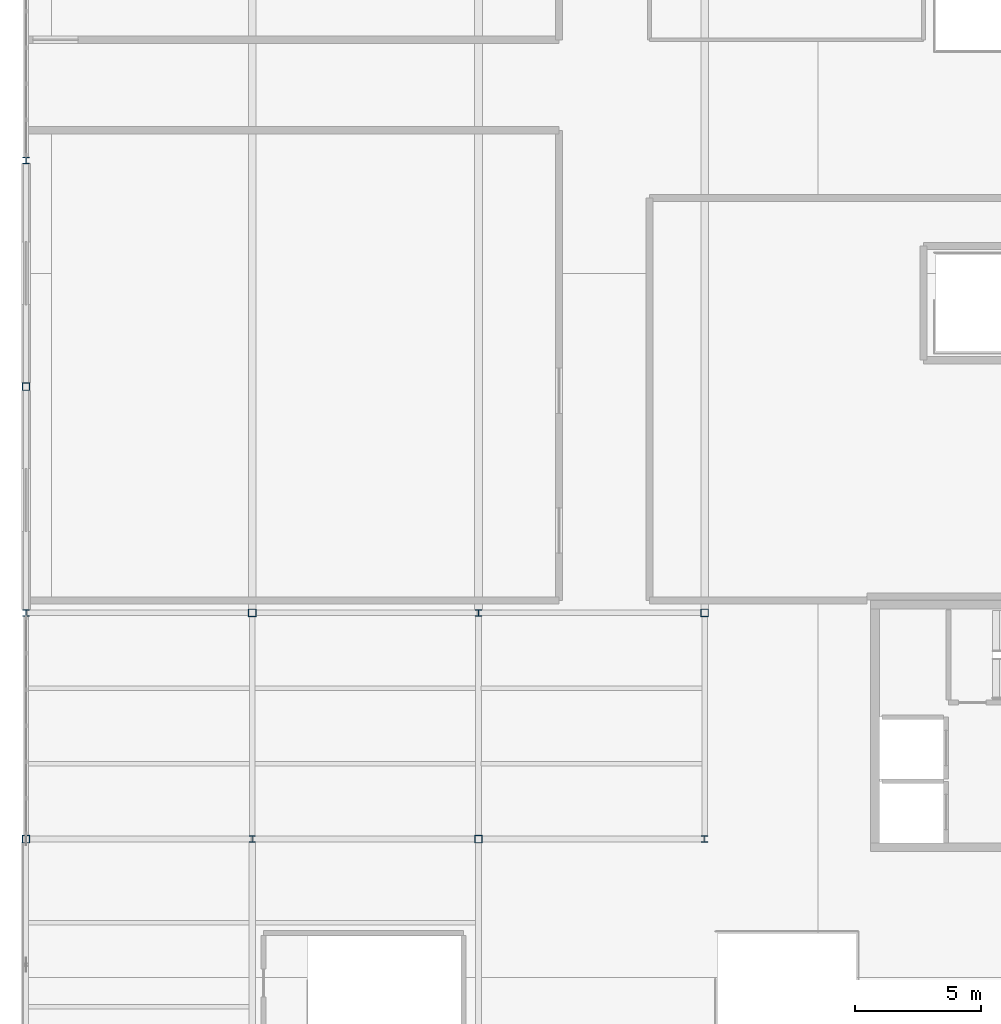
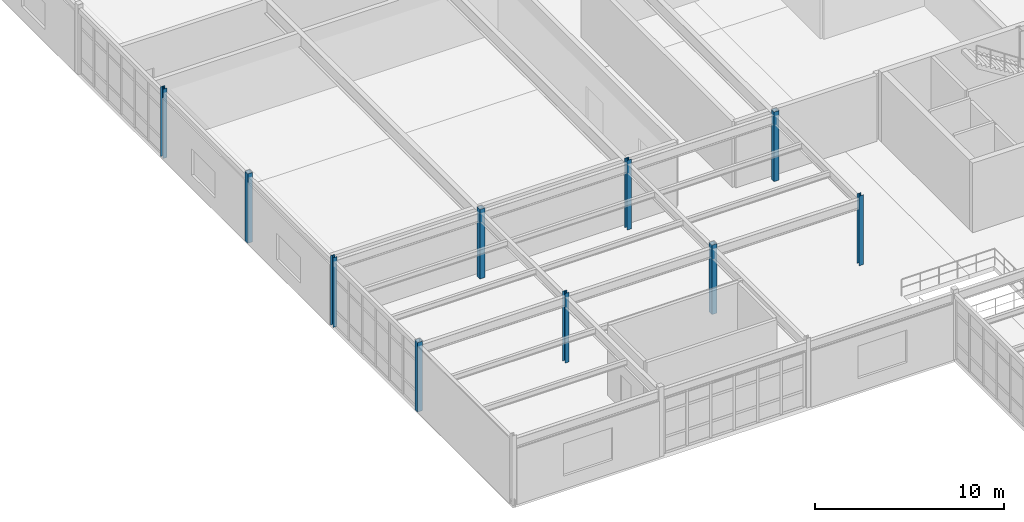
# One storey, part 8 of 81: 10 columns.
"""IFC4 building model written with IfcOpenShell, lengths in metres."""

from ifc_helpers import new_model, si_unit, direction, frame, origin, origin_2d, place, context, subcontext, project, spatial, hollow_rectangle, i_section, extrude, material, material_profile, profile_set, type_object, element, save


model = new_model("IFC4")

# Units and contexts
model_context = context("Model", 3, precision=1e-05, world=origin(), true_north=direction((0.0, 1.0)))
body_context = subcontext(model_context, "Body", "Model", "MODEL_VIEW")
ifc_project = project(units=[si_unit("LENGTHUNIT", "METRE"), si_unit("AREAUNIT", "SQUARE_METRE"), si_unit("VOLUMEUNIT", "CUBIC_METRE"), si_unit("PLANEANGLEUNIT", "RADIAN"), si_unit("MASSUNIT", "GRAM", prefix="KILO")], contexts=[model_context])

# Site, building, storey
site_placement = place(None, origin())
site = spatial("IfcSite", under=ifc_project, at=site_placement, CompositionType="ELEMENT")
building_placement = place(site_placement, origin())
building = spatial("IfcBuilding", under=site, at=building_placement, Name="Glasvene Arena", CompositionType="ELEMENT")
storey_placement = place(building_placement, frame((0.0, 0.0, 15.0)))
storey = spatial("IfcBuildingStorey", under=building, at=storey_placement, Name="L03", CompositionType="ELEMENT", Elevation=15.0)

# Columns
ifc_material = material(Name="Steel S355J2", Category="steel")
ifc_material_profile_1 = material_profile(ifc_material, hollow_rectangle(XDim=0.300048828125, YDim=0.300048828125, WallThickness=0.012451171875, at=origin_2d()), Name="SHS 300x300x12.5")
ifc_profile_set_1 = profile_set([ifc_material_profile_1], Name="Steel S355J2")
column_type_1 = type_object("IfcColumnType", Name="COL-W-SHS300", PredefinedType="COLUMN", material=ifc_profile_set_1)
for number, where, z_axis, x_axis, name in (
    (1, (0.0, 64.0, 0.0), (0.0, 0.0, 1.0), (1.0, 0.0, 0.0), "Grid column 1-8 L03"),
    (2, (0.0, 82.0, 0.0), (0.0, 0.0, 1.0), (1.0, 0.0, 0.0), "Grid column 1-10 L03"),
    (3, (9.0, 73.0, 0.0), (0.0, 0.0, 1.0), (1.0, 0.0, 0.0), "Grid column 2-9 L03"),
    (4, (18.0, 64.0, 0.0), (0.0, 0.0, 1.0), (1.0, 0.0, 0.0), "Grid column 3-8 L03"),
    (5, (27.0, 73.0, 0.0), (0.0, 0.0, 1.0), (1.0, 0.0, 0.0), "Grid column 4-9 L03"),
):
    element("IfcColumn", number, at=place(storey_placement, frame(where, z_axis=z_axis, x_axis=x_axis)), inside=storey, type_object=column_type_1, Name=name, PredefinedType="COLUMN", context=body_context, shape_type="SweptSolid", body=[
        extrude(hollow_rectangle(XDim=0.300048828125, YDim=0.300048828125, WallThickness=0.012451171875, at=origin_2d()), origin(), (0.0, 0.0, 1.0), 4.5),
    ])
ifc_material_profile_2 = material_profile(ifc_material, i_section(OverallWidth=0.25634765625, OverallDepth=0.26025390625, WebThickness=0.01025390625, FlangeThickness=0.017333984375, FilletRadius=0.0126953125, at=origin_2d()), Name="UKC 254x254x89")
ifc_profile_set_2 = profile_set([ifc_material_profile_2], Name="Steel S355J2")
column_type_2 = type_object("IfcColumnType", Name="COL-W-UKC89", PredefinedType="COLUMN", material=ifc_profile_set_2)
for number, where, z_axis, x_axis, name in (
    (6, (0.0, 73.0, 0.0), (0.0, 0.0, 1.0), (1.0, 0.0, 0.0), "Grid column 1-9 L03"),
    (7, (0.0, 91.0, 0.0), (0.0, 0.0, 1.0), (1.0, 0.0, 0.0), "Grid column 1-11 L03"),
    (8, (9.0, 64.0, 0.0), (0.0, 0.0, 1.0), (1.0, 0.0, 0.0), "Grid column 2-8 L03"),
    (9, (18.0, 73.0, 0.0), (0.0, 0.0, 1.0), (1.0, 0.0, 0.0), "Grid column 3-9 L03"),
    (10, (27.0, 64.0, 0.0), (0.0, 0.0, 1.0), (1.0, 0.0, 0.0), "Grid column 4-8 L03"),
):
    element("IfcColumn", number, at=place(storey_placement, frame(where, z_axis=z_axis, x_axis=x_axis)), inside=storey, type_object=column_type_2, Name=name, PredefinedType="COLUMN", context=body_context, shape_type="SweptSolid", body=[
        extrude(i_section(OverallWidth=0.25634765625, OverallDepth=0.26025390625, WebThickness=0.01025390625, FlangeThickness=0.017333984375, FilletRadius=0.0126953125, at=origin_2d()), origin(), (0.0, 0.0, 1.0), 4.5),
    ])

save(model, "model.ifc")
